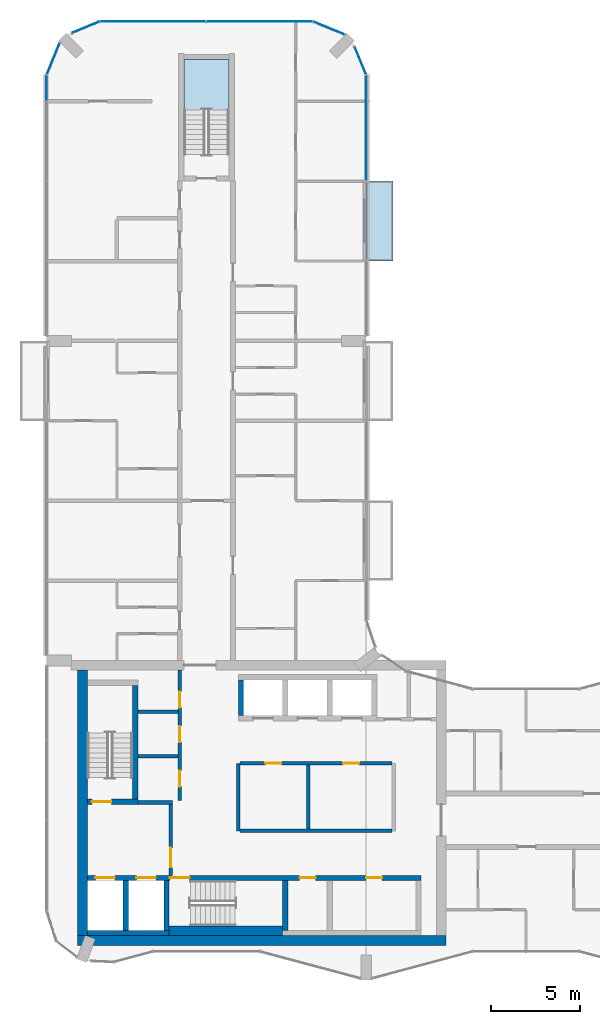
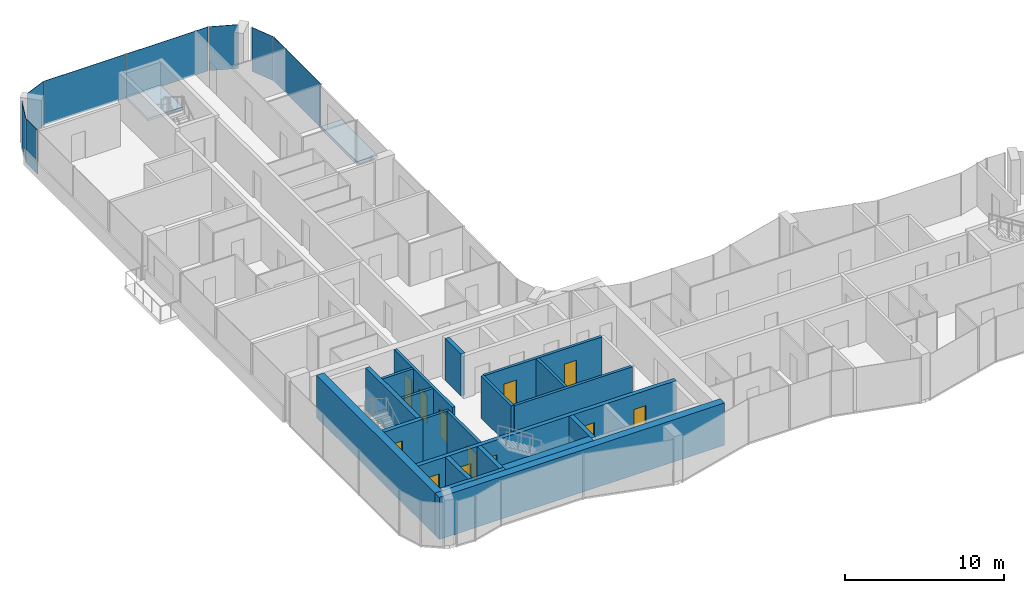
# One storey, part 9 of 15: 20 walls, 12 doors, 8 plates, 2 slabs, 12 openings, 8 elements without a shape of their own.
"""IFC4 building model written with IfcOpenShell, lengths in metres."""

from ifc_helpers import new_model, si_unit, direction, frame, frame_2d, origin, origin_2d, place, context, subcontext, project, spatial, polyline, rectangle, outline, extrude, material, layer, layer_set, type_object, element, fill, aggregate, save


model = new_model("IFC4")

# Units and contexts
model_context = context("Model", 3, precision=1e-05, world=origin(), true_north=direction((0.0, 1.0)))
body_context = subcontext(model_context, "Body", "Model", "MODEL_VIEW")
ifc_project = project(units=[si_unit("LENGTHUNIT", "METRE"), si_unit("AREAUNIT", "SQUARE_METRE"), si_unit("VOLUMEUNIT", "CUBIC_METRE"), si_unit("PLANEANGLEUNIT", "RADIAN"), si_unit("MASSUNIT", "GRAM", prefix="KILO")], contexts=[model_context])

# Site, building, storey
site_placement = place(None, origin())
site = spatial("IfcSite", under=ifc_project, at=site_placement, CompositionType="ELEMENT")
building_placement = place(site_placement, origin())
building = spatial("IfcBuilding", under=site, at=building_placement, Name="Plateau Cross Towers", CompositionType="ELEMENT")
storey_placement = place(building_placement, frame((0.0, 0.0, 201.39990234375)))
storey = spatial("IfcBuildingStorey", under=building, at=storey_placement, Name="L52", CompositionType="ELEMENT", Elevation=201.39990234375)

# Slab
ifc_material_1 = material(Name="Concrete C40/50", Category="concrete")
ifc_layer_1 = layer(ifc_material_1, 0.25)
ifc_layer_set_1 = layer_set([ifc_layer_1], Name="Concrete C40/50")
slab_type_1 = type_object("IfcSlabType", Name="Balcony slab 250", PredefinedType="FLOOR", material=ifc_layer_set_1)
slab_1_placement = place(storey_placement, frame((0.0, 0.0, -0.25)))
element("IfcSlab", 1, at=slab_1_placement, inside=storey, type_object=slab_type_1, Name="Balcony slab A-BAL-L52-04", PredefinedType="FLOOR", context=body_context, shape_type="SweptSolid", body=[
    extrude(outline(polyline([(19.5, 40.5), (19.5, 45.0), (18.0, 45.0), (18.0, 40.5), (19.5, 40.5)])), origin(), (0.0, 0.0, 1.0), 0.25),
])

# Curtain wall, plate
ifc_material_2 = material(Name="Dark low-iron glass", Category="glass")
ifc_layer_2 = layer(ifc_material_2, 0.239990234375)
ifc_layer_set_2 = layer_set([ifc_layer_2], Name="Dark low-iron glass")
curtain_wall_type = type_object("IfcCurtainWallType", Name="Curtain wall flush unitised CW-B", PredefinedType="NOTDEFINED", material=ifc_layer_set_2)
curtain_wall_1_placement = place(storey_placement, origin())
curtain_wall_1 = element("IfcCurtainWall", 2, at=curtain_wall_1_placement, inside=storey, type_object=curtain_wall_type, Name="ENV/A/L52/A180_450", PredefinedType="NOTDEFINED")
ifc_layer_3 = layer(ifc_material_2, 0.031982421875)
ifc_layer_set_3 = layer_set([ifc_layer_3], Name="Dark low-iron glass")
plate_type = type_object("IfcPlateType", Name="Glass panel 32 flush unitised", PredefinedType="CURTAIN_PANEL", material=ifc_layer_set_3)
plate_1_placement = place(storey_placement, frame((18.0, 48.0048828125, -0.1298828125), z_axis=(0.0, 0.0, 1.0), x_axis=(0.0, 1.0, 0.0)))
plate_1 = element("IfcPlate", 3, at=plate_1_placement, type_object=plate_type, Name="CW-B panel 1", PredefinedType="CURTAIN_PANEL", context=body_context, shape_type="SweptSolid", body=[
    extrude(rectangle(XDim=5.929931640625, YDim=0.031982421875, at=origin_2d()), origin(), (0.0, 0.0, 1.0), 3.3798828125),
])
aggregate(curtain_wall_1, [plate_1])

curtain_wall_2_placement = place(storey_placement, origin())
curtain_wall_2 = element("IfcCurtainWall", 4, at=curtain_wall_2_placement, inside=storey, type_object=curtain_wall_type, Name="ENV/A/L52/A180_510", PredefinedType="NOTDEFINED")
plate_2_placement = place(storey_placement, frame((17.66943359375, 51.79833984375, -0.1298828125), z_axis=(0.0, 0.0, 1.0), x_axis=(-0.382683612978, 0.923879457699, 0.0)))
plate_2 = element("IfcPlate", 5, at=plate_2_placement, type_object=plate_type, Name="CW-B panel 1", PredefinedType="CURTAIN_PANEL", context=body_context, shape_type="SweptSolid", body=[
    extrude(rectangle(XDim=1.668212890625, YDim=0.031982421875, at=origin_2d()), origin(), (0.0, 0.0, 1.0), 3.3798828125),
])
aggregate(curtain_wall_2, [plate_2])

curtain_wall_3_placement = place(storey_placement, origin())
curtain_wall_3 = element("IfcCurtainWall", 6, at=curtain_wall_3_placement, inside=storey, type_object=curtain_wall_type, Name="ENV/A/L52/A168_533", PredefinedType="NOTDEFINED")
plate_3_placement = place(storey_placement, frame((15.90283203125, 53.6259765625, -0.1298828125), z_axis=(0.0, 0.0, 1.0), x_axis=(-0.923879457699, 0.382683612978, 0.0)))
plate_3 = element("IfcPlate", 7, at=plate_3_placement, type_object=plate_type, Name="CW-B panel 1", PredefinedType="CURTAIN_PANEL", context=body_context, shape_type="SweptSolid", body=[
    extrude(rectangle(XDim=1.894775390625, YDim=0.031982421875, at=origin_2d()), origin(), (0.0, 0.0, 1.0), 3.3798828125),
])
aggregate(curtain_wall_3, [plate_3])

# Curtain wall, plates
curtain_wall_4_placement = place(storey_placement, origin())
curtain_wall_4 = element("IfcCurtainWall", 8, at=curtain_wall_4_placement, inside=storey, type_object=curtain_wall_type, Name="ENV/A/L52/A150_540", PredefinedType="NOTDEFINED")
plate_4_placement = place(storey_placement, frame((12.0, 54.0, -0.1298828125), z_axis=(0.0, 0.0, 1.0), x_axis=(-1.0, 0.0, 0.0)))
plate_4 = element("IfcPlate", 9, at=plate_4_placement, type_object=plate_type, Name="CW-B panel 1", PredefinedType="CURTAIN_PANEL", context=body_context, shape_type="SweptSolid", body=[
    extrude(rectangle(XDim=5.93994140625, YDim=0.031982421875, at=origin_2d()), origin(), (0.0, 0.0, 1.0), 3.3798828125),
])
plate_5_placement = place(storey_placement, frame((6.0, 54.0, -0.1298828125), z_axis=(0.0, 0.0, 1.0), x_axis=(-1.0, 0.0, 0.0)))
plate_5 = element("IfcPlate", 10, at=plate_5_placement, type_object=plate_type, Name="CW-B panel 2", PredefinedType="CURTAIN_PANEL", context=body_context, shape_type="SweptSolid", body=[
    extrude(rectangle(XDim=5.93994140625, YDim=0.031982421875, at=origin_2d()), origin(), (0.0, 0.0, 1.0), 3.3798828125),
])
aggregate(curtain_wall_4, [plate_4, plate_5])

# Curtain wall, plate
curtain_wall_5_placement = place(storey_placement, origin())
curtain_wall_5 = element("IfcCurtainWall", 11, at=curtain_wall_5_placement, inside=storey, type_object=curtain_wall_type, Name="ENV/A/L52/A30_540", PredefinedType="NOTDEFINED")
plate_6_placement = place(storey_placement, frame((2.20166015625, 53.66943359375, -0.1298828125), z_axis=(0.0, 0.0, 1.0), x_axis=(-0.923879457699, -0.382683612978, 0.0)))
plate_6 = element("IfcPlate", 12, at=plate_6_placement, type_object=plate_type, Name="CW-B panel 1", PredefinedType="CURTAIN_PANEL", context=body_context, shape_type="SweptSolid", body=[
    extrude(rectangle(XDim=1.668212890625, YDim=0.031982421875, at=origin_2d()), origin(), (0.0, 0.0, 1.0), 3.3798828125),
])
aggregate(curtain_wall_5, [plate_6])

curtain_wall_6_placement = place(storey_placement, origin())
curtain_wall_6 = element("IfcCurtainWall", 13, at=curtain_wall_6_placement, inside=storey, type_object=curtain_wall_type, Name="ENV/A/L52/A7_528", PredefinedType="NOTDEFINED")
plate_7_placement = place(storey_placement, frame((0.3740234375, 51.90283203125, -0.1298828125), z_axis=(0.0, 0.0, 1.0), x_axis=(-0.382683612978, -0.923879457699, 0.0)))
plate_7 = element("IfcPlate", 14, at=plate_7_placement, type_object=plate_type, Name="CW-B panel 1", PredefinedType="CURTAIN_PANEL", context=body_context, shape_type="SweptSolid", body=[
    extrude(rectangle(XDim=1.894775390625, YDim=0.031982421875, at=origin_2d()), origin(), (0.0, 0.0, 1.0), 3.3798828125),
])
aggregate(curtain_wall_6, [plate_7])

curtain_wall_7_placement = place(storey_placement, origin())
curtain_wall_7 = element("IfcCurtainWall", 15, at=curtain_wall_7_placement, inside=storey, type_object=curtain_wall_type, Name="ENV/A/L52/A0_510", PredefinedType="NOTDEFINED")
plate_8_placement = place(storey_placement, frame((0.0, 50.25, -0.1298828125), z_axis=(0.0, 0.0, 1.0), x_axis=(0.0, -1.0, 0.0)))
plate_8 = element("IfcPlate", 16, at=plate_8_placement, type_object=plate_type, Name="CW-B panel 1", PredefinedType="CURTAIN_PANEL", context=body_context, shape_type="SweptSolid", body=[
    extrude(rectangle(XDim=1.43994140625, YDim=0.031982421875, at=origin_2d()), origin(), (0.0, 0.0, 1.0), 3.3798828125),
])
aggregate(curtain_wall_7, [plate_8])

# Stair, slab
stair_type = type_object("IfcStairType", Name="ST-TWR", PredefinedType="HALF_TURN_STAIR", material=ifc_material_1)
stair_placement = place(storey_placement, origin())
stair = element("IfcStair", 17, at=stair_placement, inside=storey, type_object=stair_type, Name="L52 Protected Exit Stair N", PredefinedType="HALF_TURN_STAIR")
ifc_layer_4 = layer(ifc_material_1, 0.199951171875)
ifc_layer_set_4 = layer_set([ifc_layer_4], Name="Concrete C40/50")
slab_type_2 = type_object("IfcSlabType", Name="SL-LANDING", PredefinedType="LANDING", material=ifc_layer_set_4)
slab_2_placement = place(storey_placement, frame((0.0, 0.0, 1.550048828125)))
slab_2 = element("IfcSlab", 18, at=slab_2_placement, type_object=slab_type_2, Name="ES-N landing 1", PredefinedType="LANDING", context=body_context, shape_type="SweptSolid", body=[
    extrude(outline(polyline([(10.27490234375, 49.02001953125), (10.27490234375, 51.85009765625), (7.72509765625, 51.85009765625), (7.72509765625, 49.02001953125), (10.27490234375, 49.02001953125)])), origin(), (0.0, 0.0, 1.0), 0.199951171875),
])
aggregate(stair, [slab_2])

# Wall, opening, door
ifc_material_3 = material(Name="Concrete block, plastered both sides", Category="concrete")
ifc_layer_5 = layer(ifc_material_3, 0.199951171875)
ifc_layer_set_5 = layer_set([ifc_layer_5], Name="Concrete block, plastered both sides")
wall_type_1 = type_object("IfcWallType", Name="Core partition 200", PredefinedType="PARTITIONING", material=ifc_layer_set_5)
wall_1_placement = place(storey_placement, frame((7.0, 5.89990234375, 0.0), z_axis=(0.0, 0.0, 1.0), x_axis=(0.0, 1.0, 0.0)))
wall_1 = element("IfcWall", 19, at=wall_1_placement, inside=storey, type_object=wall_type_1, Name="Core partition", PredefinedType="PARTITIONING", context=body_context, shape_type="SweptSolid", body=[
    extrude(rectangle(XDim=4.0, YDim=0.199951171875, at=frame_2d((2.0, 0.0))), origin(), (0.0, 0.0, 1.0), 3.25),
])
opening_1_placement = place(wall_1_placement, frame((0.449951171875, 0.0, 0.0)))
opening_1 = element("IfcOpeningElement", 20, at=opening_1_placement, cuts=wall_1, Name="Opening FFD", PredefinedType="OPENING", context=body_context, shape_type="SweptSolid", body=[
    extrude(rectangle(XDim=1.10009765625, YDim=2.10009765625, at=frame_2d((0.550048828125, 1.050048828125))), frame((0.0, 0.10986328125, 0.0), z_axis=(0.0, -1.0, 0.0), x_axis=(1.0, 0.0, 0.0)), (0.0, 0.0, 1.0), 0.219970703125),
])
ifc_material_4 = material(Name="Steel, fire-resisting leaf", Category="steel")
door_type_1 = type_object("IfcDoorType", Name="Firefighting lobby door 1100", OperationType="NOTDEFINED", PredefinedType="DOOR", material=ifc_material_4)
door_1_placement = place(opening_1_placement, origin())
door_1 = element("IfcDoor", 21, at=door_1_placement, inside=storey, type_object=door_type_1, Name="Firefighting lobby door FFD", OperationType="SINGLE_SWING_LEFT", OverallHeight=2.10009765625, OverallWidth=1.10009765625, PredefinedType="DOOR", context=body_context, shape_type="SweptSolid", body=[
    extrude(rectangle(XDim=1.10009765625, YDim=2.10009765625, at=frame_2d((0.550048828125, 1.050048828125))), frame((0.0, 0.02490234375, 0.0), z_axis=(0.0, -1.0, 0.0), x_axis=(1.0, 0.0, 0.0)), (0.0, 0.0, 1.0), 0.050048828125),
])
fill(opening_1, door_1)

# Walls
wall_2_placement = place(storey_placement, frame((5.14990234375, 10.0, 0.0), z_axis=(0.0, 0.0, 1.0), x_axis=(1.0, 0.0, 0.0)))
element("IfcWall", 22, at=wall_2_placement, inside=storey, type_object=wall_type_1, Name="Core partition", PredefinedType="PARTITIONING", context=body_context, shape_type="SweptSolid", body=[
    extrude(rectangle(XDim=1.9501953125, YDim=0.199951171875, at=frame_2d((0.97509765625, 0.0))), origin(), (0.0, 0.0, 1.0), 3.25),
])
wall_3_placement = place(storey_placement, frame((10.800048828125, 8.39990234375, 0.0), z_axis=(0.0, 0.0, 1.0), x_axis=(0.0, 1.0, 0.0)))
element("IfcWall", 23, at=wall_3_placement, inside=storey, type_object=wall_type_1, Name="Core partition", PredefinedType="PARTITIONING", context=body_context, shape_type="SweptSolid", body=[
    extrude(rectangle(XDim=3.800048828125, YDim=0.199951171875, at=frame_2d((1.89990234375, 0.0))), origin(), (0.0, 0.0, 1.0), 3.25),
])
wall_4_placement = place(storey_placement, frame((10.89990234375, 8.39990234375, 0.0), z_axis=(0.0, 0.0, 1.0), x_axis=(1.0, 0.0, 0.0)))
element("IfcWall", 24, at=wall_4_placement, inside=storey, type_object=wall_type_1, Name="Core partition", PredefinedType="PARTITIONING", context=body_context, shape_type="SweptSolid", body=[
    extrude(rectangle(XDim=8.550048828125, YDim=0.199951171875, at=frame_2d((4.27490234375, 0.0))), origin(), (0.0, 0.0, 1.0), 3.25),
])

# Wall, openings, doors
wall_5_placement = place(storey_placement, frame((10.89990234375, 12.199951171875, 0.0), z_axis=(0.0, 0.0, 1.0), x_axis=(1.0, 0.0, 0.0)))
wall_5 = element("IfcWall", 25, at=wall_5_placement, inside=storey, type_object=wall_type_1, Name="Core partition", PredefinedType="PARTITIONING", context=body_context, shape_type="SweptSolid", body=[
    extrude(rectangle(XDim=8.550048828125, YDim=0.199951171875, at=frame_2d((4.27490234375, 0.0))), origin(), (0.0, 0.0, 1.0), 3.25),
])
opening_2_placement = place(wall_5_placement, frame((1.425048828125, 0.0, 0.0)))
opening_2 = element("IfcOpeningElement", 26, at=opening_2_placement, cuts=wall_5, Name="Opening RD1", PredefinedType="OPENING", context=body_context, shape_type="SweptSolid", body=[
    extrude(rectangle(XDim=0.89990234375, YDim=2.10009765625, at=frame_2d((0.449951171875, 1.050048828125))), frame((0.0, 0.10986328125, 0.0), z_axis=(0.0, -1.0, 0.0), x_axis=(1.0, 0.0, 0.0)), (0.0, 0.0, 1.0), 0.219970703125),
])
opening_3_placement = place(wall_5_placement, frame((5.800048828125, 0.0, 0.0)))
opening_3 = element("IfcOpeningElement", 27, at=opening_3_placement, cuts=wall_5, Name="Opening RD1", PredefinedType="OPENING", context=body_context, shape_type="SweptSolid", body=[
    extrude(rectangle(XDim=0.89990234375, YDim=2.10009765625, at=frame_2d((0.449951171875, 1.050048828125))), frame((0.0, 0.10986328125, 0.0), z_axis=(0.0, -1.0, 0.0), x_axis=(1.0, 0.0, 0.0)), (0.0, 0.0, 1.0), 0.219970703125),
])
ifc_material_5 = material(Name="Timber, fire-resisting leaf", Category="wood")
door_type_2 = type_object("IfcDoorType", Name="Core service door 900", OperationType="NOTDEFINED", PredefinedType="DOOR", material=ifc_material_5)
door_2_placement = place(opening_2_placement, origin())
door_2 = element("IfcDoor", 28, at=door_2_placement, inside=storey, type_object=door_type_2, Name="Core service door RD1", OperationType="SINGLE_SWING_LEFT", OverallHeight=2.10009765625, OverallWidth=0.89990234375, PredefinedType="DOOR", context=body_context, shape_type="SweptSolid", body=[
    extrude(rectangle(XDim=0.89990234375, YDim=2.10009765625, at=frame_2d((0.449951171875, 1.050048828125))), frame((0.0, 0.02490234375, 0.0), z_axis=(0.0, -1.0, 0.0), x_axis=(1.0, 0.0, 0.0)), (0.0, 0.0, 1.0), 0.050048828125),
])
fill(opening_2, door_2)
door_3_placement = place(opening_3_placement, origin())
door_3 = element("IfcDoor", 29, at=door_3_placement, inside=storey, type_object=door_type_2, Name="Core service door RD1", OperationType="SINGLE_SWING_LEFT", OverallHeight=2.10009765625, OverallWidth=0.89990234375, PredefinedType="DOOR", context=body_context, shape_type="SweptSolid", body=[
    extrude(rectangle(XDim=0.89990234375, YDim=2.10009765625, at=frame_2d((0.449951171875, 1.050048828125))), frame((0.0, 0.02490234375, 0.0), z_axis=(0.0, -1.0, 0.0), x_axis=(1.0, 0.0, 0.0)), (0.0, 0.0, 1.0), 0.050048828125),
])
fill(opening_3, door_3)

# Wall
wall_6_placement = place(storey_placement, frame((14.75, 8.5, 0.0), z_axis=(0.0, 0.0, 1.0), x_axis=(0.0, 1.0, 0.0)))
element("IfcWall", 30, at=wall_6_placement, inside=storey, type_object=wall_type_1, Name="Core partition", PredefinedType="PARTITIONING", context=body_context, shape_type="SweptSolid", body=[
    extrude(rectangle(XDim=3.60009765625, YDim=0.199951171875, at=frame_2d((1.800048828125, 0.0))), origin(), (0.0, 0.0, 1.0), 3.25),
])

# Wall, openings, doors
wall_7_placement = place(storey_placement, frame((7.5, 10.10009765625, 0.0), z_axis=(0.0, 0.0, 1.0), x_axis=(0.0, 1.0, 0.0)))
wall_7 = element("IfcWall", 31, at=wall_7_placement, inside=storey, type_object=wall_type_1, Name="Core partition", PredefinedType="PARTITIONING", context=body_context, shape_type="SweptSolid", body=[
    extrude(rectangle(XDim=7.349853515625, YDim=0.199951171875, at=frame_2d((3.6748046875, 0.0))), origin(), (0.0, 0.0, 1.0), 3.25),
])
opening_4_placement = place(wall_7_placement, frame((0.800048828125, 0.0, 0.0)))
opening_4 = element("IfcOpeningElement", 32, at=opening_4_placement, cuts=wall_7, Name="Opening RD1", PredefinedType="OPENING", context=body_context, shape_type="SweptSolid", body=[
    extrude(rectangle(XDim=0.89990234375, YDim=2.10009765625, at=frame_2d((0.449951171875, 1.050048828125))), frame((0.0, 0.10986328125, 0.0), z_axis=(0.0, -1.0, 0.0), x_axis=(1.0, 0.0, 0.0)), (0.0, 0.0, 1.0), 0.219970703125),
])
opening_5_placement = place(wall_7_placement, frame((3.300048828125, 0.0, 0.0)))
opening_5 = element("IfcOpeningElement", 33, at=opening_5_placement, cuts=wall_7, Name="Opening RD1", PredefinedType="OPENING", context=body_context, shape_type="SweptSolid", body=[
    extrude(rectangle(XDim=0.89990234375, YDim=2.10009765625, at=frame_2d((0.449951171875, 1.050048828125))), frame((0.0, 0.10986328125, 0.0), z_axis=(0.0, -1.0, 0.0), x_axis=(1.0, 0.0, 0.0)), (0.0, 0.0, 1.0), 0.219970703125),
])
opening_6_placement = place(wall_7_placement, frame((5.25, 0.0, 0.0)))
opening_6 = element("IfcOpeningElement", 34, at=opening_6_placement, cuts=wall_7, Name="Opening RD1", PredefinedType="OPENING", context=body_context, shape_type="SweptSolid", body=[
    extrude(rectangle(XDim=0.89990234375, YDim=2.10009765625, at=frame_2d((0.449951171875, 1.050048828125))), frame((0.0, 0.10986328125, 0.0), z_axis=(0.0, -1.0, 0.0), x_axis=(1.0, 0.0, 0.0)), (0.0, 0.0, 1.0), 0.219970703125),
])
door_4_placement = place(opening_4_placement, origin())
door_4 = element("IfcDoor", 35, at=door_4_placement, inside=storey, type_object=door_type_2, Name="Core service door RD1", OperationType="SINGLE_SWING_RIGHT", OverallHeight=2.10009765625, OverallWidth=0.89990234375, PredefinedType="DOOR", context=body_context, shape_type="SweptSolid", body=[
    extrude(rectangle(XDim=0.89990234375, YDim=2.10009765625, at=frame_2d((0.449951171875, 1.050048828125))), frame((0.0, 0.02490234375, 0.0), z_axis=(0.0, -1.0, 0.0), x_axis=(1.0, 0.0, 0.0)), (0.0, 0.0, 1.0), 0.050048828125),
])
fill(opening_4, door_4)
door_5_placement = place(opening_5_placement, origin())
door_5 = element("IfcDoor", 36, at=door_5_placement, inside=storey, type_object=door_type_2, Name="Core service door RD1", OperationType="SINGLE_SWING_RIGHT", OverallHeight=2.10009765625, OverallWidth=0.89990234375, PredefinedType="DOOR", context=body_context, shape_type="SweptSolid", body=[
    extrude(rectangle(XDim=0.89990234375, YDim=2.10009765625, at=frame_2d((0.449951171875, 1.050048828125))), frame((0.0, 0.02490234375, 0.0), z_axis=(0.0, -1.0, 0.0), x_axis=(1.0, 0.0, 0.0)), (0.0, 0.0, 1.0), 0.050048828125),
])
fill(opening_5, door_5)
door_6_placement = place(opening_6_placement, origin())
door_6 = element("IfcDoor", 37, at=door_6_placement, inside=storey, type_object=door_type_2, Name="Core service door RD1", OperationType="SINGLE_SWING_RIGHT", OverallHeight=2.10009765625, OverallWidth=0.89990234375, PredefinedType="DOOR", context=body_context, shape_type="SweptSolid", body=[
    extrude(rectangle(XDim=0.89990234375, YDim=2.10009765625, at=frame_2d((0.449951171875, 1.050048828125))), frame((0.0, 0.02490234375, 0.0), z_axis=(0.0, -1.0, 0.0), x_axis=(1.0, 0.0, 0.0)), (0.0, 0.0, 1.0), 0.050048828125),
])
fill(opening_6, door_6)

# Walls
for number, where, z_axis, x_axis, name in (
    (38, (5.14990234375, 12.60009765625, 0.0), (0.0, 0.0, 1.0), (1.0, 0.0, 0.0), "Core partition"),
    (39, (5.14990234375, 15.10009765625, 0.0), (0.0, 0.0, 1.0), (1.0, 0.0, 0.0), "Core partition"),
):
    element("IfcWall", number, at=place(storey_placement, frame(where, z_axis=z_axis, x_axis=x_axis)), inside=storey, type_object=wall_type_1, Name=name, PredefinedType="PARTITIONING", context=body_context, shape_type="SweptSolid", body=[
        extrude(rectangle(XDim=2.25, YDim=0.199951171875, at=frame_2d((1.125, 0.0))), origin(), (0.0, 0.0, 1.0), 3.25),
    ])
ifc_material_6 = material(Name="Concrete C60/75", Category="concrete")
ifc_layer_6 = layer(ifc_material_6, 0.300048828125)
ifc_layer_set_6 = layer_set([ifc_layer_6], Name="Concrete C60/75")
wall_type_2 = type_object("IfcWallType", Name="Core shaft wall 300", PredefinedType="SHEAR", material=ifc_layer_set_6)
wall_8_placement = place(storey_placement, frame((2.300048828125, 2.64990234375, 0.0), z_axis=(0.0, 0.0, 1.0), x_axis=(1.0, 0.0, 0.0)))
element("IfcWall", 40, at=wall_8_placement, inside=storey, type_object=wall_type_2, Name="A-sb-back1@L52", PredefinedType="SHEAR", context=body_context, shape_type="SweptSolid", body=[
    extrude(rectangle(XDim=4.599853515625, YDim=0.300048828125, at=frame_2d((2.2998046875, 0.0))), origin(), (0.0, 0.0, 1.0), 3.25),
])
for number, where, z_axis, x_axis, name in (
    (41, (4.449951171875, 2.800048828125, 0.0), (0.0, 0.0, 1.0), (0.0, 1.0, 0.0), "A-sb-v1@L52"),
    (42, (6.75, 2.800048828125, 0.0), (0.0, 0.0, 1.0), (0.0, 1.0, 0.0), "A-sb-v2@L52"),
    (43, (13.449951171875, 2.800048828125, 0.0), (0.0, 0.0, 1.0), (0.0, 1.0, 0.0), "A-sb-v3@L52"),
):
    element("IfcWall", number, at=place(storey_placement, frame(where, z_axis=z_axis, x_axis=x_axis)), inside=storey, type_object=wall_type_2, Name=name, PredefinedType="SHEAR", context=body_context, shape_type="SweptSolid", body=[
        extrude(rectangle(XDim=2.800048828125, YDim=0.300048828125, at=frame_2d((1.39990234375, 0.0))), origin(), (0.0, 0.0, 1.0), 3.25),
    ])

# Wall, openings, doors
wall_9_placement = place(storey_placement, frame((2.300048828125, 5.75, 0.0), z_axis=(0.0, 0.0, 1.0), x_axis=(1.0, 0.0, 0.0)))
wall_9 = element("IfcWall", 44, at=wall_9_placement, inside=storey, type_object=wall_type_2, Name="A-sb-front@L52", PredefinedType="SHEAR", context=body_context, shape_type="SweptSolid", body=[
    extrude(rectangle(XDim=18.800048828125, YDim=0.300048828125, at=frame_2d((9.39990234375, 0.0))), origin(), (0.0, 0.0, 1.0), 3.25),
])
opening_7_placement = place(wall_9_placement, frame((4.64990234375, 0.0, 0.0)))
opening_7 = element("IfcOpeningElement", 45, at=opening_7_placement, cuts=wall_9, Name="Opening SD", PredefinedType="OPENING", context=body_context, shape_type="SweptSolid", body=[
    extrude(rectangle(XDim=1.10009765625, YDim=2.10009765625, at=frame_2d((0.550048828125, 1.050048828125))), frame((0.0, 0.159912109375, 0.0), z_axis=(0.0, -1.0, 0.0), x_axis=(1.0, 0.0, 0.0)), (0.0, 0.0, 1.0), 0.320068359375),
])
opening_8_placement = place(wall_9_placement, frame((0.449951171875, 0.0, 0.0)))
opening_8 = element("IfcOpeningElement", 46, at=opening_8_placement, cuts=wall_9, Name="Opening LD", PredefinedType="OPENING", context=body_context, shape_type="SweptSolid", body=[
    extrude(rectangle(XDim=1.10009765625, YDim=2.10009765625, at=frame_2d((0.550048828125, 1.050048828125))), frame((0.0, 0.159912109375, 0.0), z_axis=(0.0, -1.0, 0.0), x_axis=(1.0, 0.0, 0.0)), (0.0, 0.0, 1.0), 0.320068359375),
])
opening_9_placement = place(wall_9_placement, frame((2.75, 0.0, 0.0)))
opening_9 = element("IfcOpeningElement", 47, at=opening_9_placement, cuts=wall_9, Name="Opening LD", PredefinedType="OPENING", context=body_context, shape_type="SweptSolid", body=[
    extrude(rectangle(XDim=1.10009765625, YDim=2.10009765625, at=frame_2d((0.550048828125, 1.050048828125))), frame((0.0, 0.159912109375, 0.0), z_axis=(0.0, -1.0, 0.0), x_axis=(1.0, 0.0, 0.0)), (0.0, 0.0, 1.0), 0.320068359375),
])
opening_10_placement = place(wall_9_placement, frame((11.949951171875, 0.0, 0.0)))
opening_10 = element("IfcOpeningElement", 48, at=opening_10_placement, cuts=wall_9, Name="Opening RD2", PredefinedType="OPENING", context=body_context, shape_type="SweptSolid", body=[
    extrude(rectangle(XDim=0.89990234375, YDim=2.10009765625, at=frame_2d((0.449951171875, 1.050048828125))), frame((0.0, 0.159912109375, 0.0), z_axis=(0.0, -1.0, 0.0), x_axis=(1.0, 0.0, 0.0)), (0.0, 0.0, 1.0), 0.320068359375),
])
opening_11_placement = place(wall_9_placement, frame((15.699951171875, 0.0, 0.0)))
opening_11 = element("IfcOpeningElement", 49, at=opening_11_placement, cuts=wall_9, Name="Opening RD2", PredefinedType="OPENING", context=body_context, shape_type="SweptSolid", body=[
    extrude(rectangle(XDim=0.89990234375, YDim=2.10009765625, at=frame_2d((0.449951171875, 1.050048828125))), frame((0.0, 0.159912109375, 0.0), z_axis=(0.0, -1.0, 0.0), x_axis=(1.0, 0.0, 0.0)), (0.0, 0.0, 1.0), 0.320068359375),
])
door_type_3 = type_object("IfcDoorType", Name="Core riser door 900", OperationType="NOTDEFINED", PredefinedType="DOOR", material=ifc_material_4)
door_7_placement = place(opening_10_placement, origin())
door_7 = element("IfcDoor", 50, at=door_7_placement, inside=storey, type_object=door_type_3, Name="Core riser door RD2", OperationType="SINGLE_SWING_LEFT", OverallHeight=2.10009765625, OverallWidth=0.89990234375, PredefinedType="DOOR", context=body_context, shape_type="SweptSolid", body=[
    extrude(rectangle(XDim=0.89990234375, YDim=2.10009765625, at=frame_2d((0.449951171875, 1.050048828125))), frame((0.0, 0.02490234375, 0.0), z_axis=(0.0, -1.0, 0.0), x_axis=(1.0, 0.0, 0.0)), (0.0, 0.0, 1.0), 0.050048828125),
])
fill(opening_10, door_7)
door_8_placement = place(opening_11_placement, origin())
door_8 = element("IfcDoor", 51, at=door_8_placement, inside=storey, type_object=door_type_3, Name="Core riser door RD2", OperationType="SINGLE_SWING_LEFT", OverallHeight=2.10009765625, OverallWidth=0.89990234375, PredefinedType="DOOR", context=body_context, shape_type="SweptSolid", body=[
    extrude(rectangle(XDim=0.89990234375, YDim=2.10009765625, at=frame_2d((0.449951171875, 1.050048828125))), frame((0.0, 0.02490234375, 0.0), z_axis=(0.0, -1.0, 0.0), x_axis=(1.0, 0.0, 0.0)), (0.0, 0.0, 1.0), 0.050048828125),
])
fill(opening_11, door_8)
ifc_material_7 = material(Name="Stainless steel, fire-resisting sliding leaves", Category="steel")
door_type_4 = type_object("IfcDoorType", Name="Lift landing door 1100", OperationType="NOTDEFINED", PredefinedType="DOOR", material=ifc_material_7)
door_9_placement = place(opening_8_placement, origin())
door_9 = element("IfcDoor", 52, at=door_9_placement, inside=storey, type_object=door_type_4, Name="Lift landing door LD", OperationType="DOUBLE_DOOR_SLIDING", OverallHeight=2.10009765625, OverallWidth=1.10009765625, PredefinedType="DOOR", context=body_context, shape_type="SweptSolid", body=[
    extrude(rectangle(XDim=1.10009765625, YDim=2.10009765625, at=frame_2d((0.550048828125, 1.050048828125))), frame((0.0, 0.02490234375, 0.0), z_axis=(0.0, -1.0, 0.0), x_axis=(1.0, 0.0, 0.0)), (0.0, 0.0, 1.0), 0.050048828125),
])
fill(opening_8, door_9)
door_10_placement = place(opening_9_placement, origin())
door_10 = element("IfcDoor", 53, at=door_10_placement, inside=storey, type_object=door_type_4, Name="Lift landing door LD", OperationType="DOUBLE_DOOR_SLIDING", OverallHeight=2.10009765625, OverallWidth=1.10009765625, PredefinedType="DOOR", context=body_context, shape_type="SweptSolid", body=[
    extrude(rectangle(XDim=1.10009765625, YDim=2.10009765625, at=frame_2d((0.550048828125, 1.050048828125))), frame((0.0, 0.02490234375, 0.0), z_axis=(0.0, -1.0, 0.0), x_axis=(1.0, 0.0, 0.0)), (0.0, 0.0, 1.0), 0.050048828125),
])
fill(opening_9, door_10)
door_type_5 = type_object("IfcDoorType", Name="Stair door 1100", OperationType="NOTDEFINED", PredefinedType="DOOR", material=ifc_material_4)
door_11_placement = place(opening_7_placement, origin())
door_11 = element("IfcDoor", 54, at=door_11_placement, inside=storey, type_object=door_type_5, Name="Stair door SD", OperationType="SINGLE_SWING_LEFT", OverallHeight=2.10009765625, OverallWidth=1.10009765625, PredefinedType="DOOR", context=body_context, shape_type="SweptSolid", body=[
    extrude(rectangle(XDim=1.10009765625, YDim=2.10009765625, at=frame_2d((0.550048828125, 1.050048828125))), frame((0.0, 0.02490234375, 0.0), z_axis=(0.0, -1.0, 0.0), x_axis=(1.0, 0.0, 0.0)), (0.0, 0.0, 1.0), 0.050048828125),
])
fill(opening_7, door_11)

# Wall, opening, door
wall_10_placement = place(storey_placement, frame((2.300048828125, 10.050048828125, 0.0), z_axis=(0.0, 0.0, 1.0), x_axis=(1.0, 0.0, 0.0)))
wall_10 = element("IfcWall", 55, at=wall_10_placement, inside=storey, type_object=wall_type_2, Name="A-st1-S@L52", PredefinedType="SHEAR", context=body_context, shape_type="SweptSolid", body=[
    extrude(rectangle(XDim=2.849853515625, YDim=0.300048828125, at=frame_2d((1.4248046875, 0.0))), origin(), (0.0, 0.0, 1.0), 3.25),
])
opening_12_placement = place(wall_10_placement, frame((0.25, 0.0, 0.0)))
opening_12 = element("IfcOpeningElement", 56, at=opening_12_placement, cuts=wall_10, Name="Opening SD", PredefinedType="OPENING", context=body_context, shape_type="SweptSolid", body=[
    extrude(rectangle(XDim=1.10009765625, YDim=2.10009765625, at=frame_2d((0.550048828125, 1.050048828125))), frame((0.0, 0.159912109375, 0.0), z_axis=(0.0, -1.0, 0.0), x_axis=(1.0, 0.0, 0.0)), (0.0, 0.0, 1.0), 0.320068359375),
])
door_12_placement = place(opening_12_placement, origin())
door_12 = element("IfcDoor", 57, at=door_12_placement, inside=storey, type_object=door_type_5, Name="Stair door SD", OperationType="SINGLE_SWING_RIGHT", OverallHeight=2.10009765625, OverallWidth=1.10009765625, PredefinedType="DOOR", context=body_context, shape_type="SweptSolid", body=[
    extrude(rectangle(XDim=1.10009765625, YDim=2.10009765625, at=frame_2d((0.550048828125, 1.050048828125))), frame((0.0, 0.02490234375, 0.0), z_axis=(0.0, -1.0, 0.0), x_axis=(1.0, 0.0, 0.0)), (0.0, 0.0, 1.0), 0.050048828125),
])
fill(opening_12, door_12)

# Walls
wall_11_placement = place(storey_placement, frame((5.0, 10.199951171875, 0.0), z_axis=(0.0, 0.0, 1.0), x_axis=(0.0, 1.0, 0.0)))
element("IfcWall", 58, at=wall_11_placement, inside=storey, type_object=wall_type_2, Name="A-st1-E@L52", PredefinedType="SHEAR", context=body_context, shape_type="SweptSolid", body=[
    extrude(rectangle(XDim=6.400146484375, YDim=0.300048828125, at=frame_2d((3.2001953125, 0.0))), origin(), (0.0, 0.0, 1.0), 3.25),
])
wall_12_placement = place(storey_placement, frame((10.949951171875, 14.89990234375, 0.0), z_axis=(0.0, 0.0, 1.0), x_axis=(0.0, 1.0, 0.0)))
element("IfcWall", 59, at=wall_12_placement, inside=storey, type_object=wall_type_2, Name="A-nb-v1@L52", PredefinedType="SHEAR", context=body_context, shape_type="SweptSolid", body=[
    extrude(rectangle(XDim=2.0, YDim=0.300048828125, at=frame_2d((1.0, 0.0))), origin(), (0.0, 0.0, 1.0), 3.25),
])
ifc_layer_7 = layer(ifc_material_6, 0.550048828125)
ifc_layer_set_7 = layer_set([ifc_layer_7], Name="Concrete C60/75")
wall_type_3 = type_object("IfcWallType", Name="Core shaft wall 550", PredefinedType="SHEAR", material=ifc_layer_set_7)
wall_13_placement = place(storey_placement, frame((6.89990234375, 2.77490234375, 0.0), z_axis=(0.0, 0.0, 1.0), x_axis=(1.0, 0.0, 0.0)))
element("IfcWall", 60, at=wall_13_placement, inside=storey, type_object=wall_type_3, Name="A-sb-back2@L52", PredefinedType="SHEAR", context=body_context, shape_type="SweptSolid", body=[
    extrude(rectangle(XDim=6.400146484375, YDim=0.550048828125, at=frame_2d((3.2001953125, 0.0))), origin(), (0.0, 0.0, 1.0), 3.25),
])
ifc_layer_8 = layer(ifc_material_6, 0.550048828125)
ifc_layer_set_8 = layer_set([ifc_layer_8], Name="Concrete C60/75")
wall_type_4 = type_object("IfcWallType", Name="Core shell wall 550", PredefinedType="SHEAR", material=ifc_layer_set_8)
wall_14_placement = place(storey_placement, frame((1.75, 2.22509765625, 0.0), z_axis=(0.0, 0.0, 1.0), x_axis=(1.0, 0.0, 0.0)))
element("IfcWall", 61, at=wall_14_placement, inside=storey, type_object=wall_type_4, Name="A-core-S@L52", PredefinedType="SHEAR", context=body_context, shape_type="SweptSolid", body=[
    extrude(rectangle(XDim=20.75, YDim=0.550048828125, at=frame_2d((10.375, 0.0))), origin(), (0.0, 0.0, 1.0), 3.25),
])
wall_15_placement = place(storey_placement, frame((2.02490234375, 2.5, 0.0), z_axis=(0.0, 0.0, 1.0), x_axis=(0.0, 1.0, 0.0)))
element("IfcWall", 62, at=wall_15_placement, inside=storey, type_object=wall_type_4, Name="A-core-W@L52", PredefinedType="SHEAR", context=body_context, shape_type="SweptSolid", body=[
    extrude(rectangle(XDim=14.949951171875, YDim=0.550048828125, at=frame_2d((7.47509765625, 0.0))), origin(), (0.0, 0.0, 1.0), 3.25),
])

save(model, "model.ifc")
